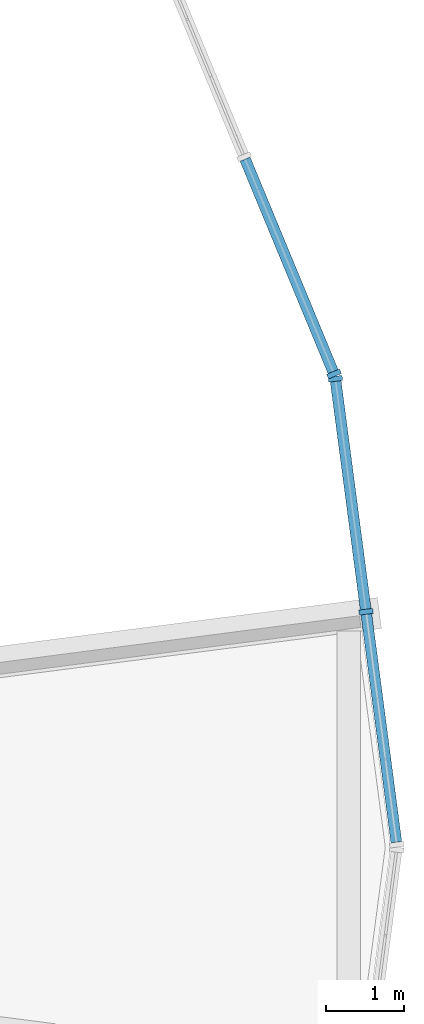
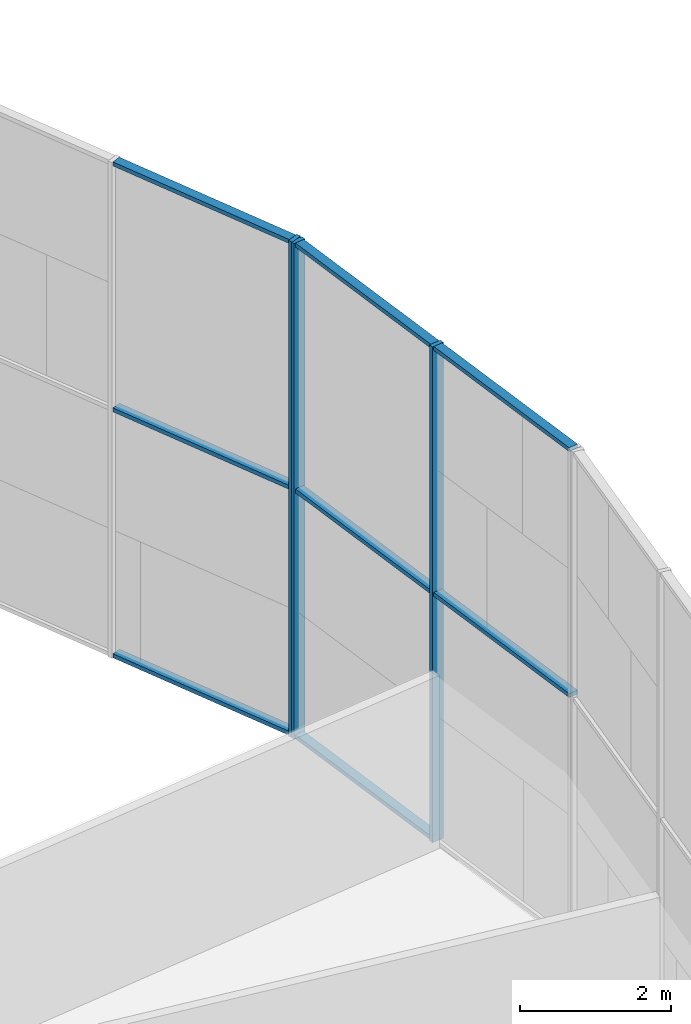
# One storey, part 5 of 18: 11 members, 2 elements without a shape of their own.
"""IFC4 building model written with IfcOpenShell, lengths in metres."""

from ifc_helpers import new_model, si_unit, direction, frame, origin, origin_2d, place, context, subcontext, project, spatial, rectangle, extrude, material, material_profile, profile_set, type_object, element, aggregate, save


model = new_model("IFC4")

# Units and contexts
model_context = context("Model", 3, precision=1e-05, world=origin(), true_north=direction((0.0, 1.0)))
body_context = subcontext(model_context, "Body", "Model", "MODEL_VIEW")
ifc_project = project(units=[si_unit("LENGTHUNIT", "METRE"), si_unit("AREAUNIT", "SQUARE_METRE"), si_unit("VOLUMEUNIT", "CUBIC_METRE"), si_unit("PLANEANGLEUNIT", "RADIAN"), si_unit("MASSUNIT", "GRAM", prefix="KILO")], contexts=[model_context])

# Site, building, storey
site_placement = place(None, origin())
site = spatial("IfcSite", under=ifc_project, at=site_placement, CompositionType="ELEMENT")
building_placement = place(site_placement, origin())
building = spatial("IfcBuilding", under=site, at=building_placement, Name="Golbaran Civic Tower", CompositionType="ELEMENT")
storey_placement = place(building_placement, frame((0.0, 0.0, 45.0)))
storey = spatial("IfcBuildingStorey", under=building, at=storey_placement, Name="L10", CompositionType="ELEMENT", Elevation=45.0)

# Curtain wall, members
ifc_material_1 = material(Name="Aluminium and glass", Category="aluminium")
curtain_wall_type = type_object("IfcCurtainWallType", Name="INNER SKIN CURTAIN WALL", PredefinedType="NOTDEFINED", material=ifc_material_1)
curtain_wall_1_placement = place(storey_placement, origin())
curtain_wall_1 = element("IfcCurtainWall", 1, at=curtain_wall_1_placement, inside=storey, type_object=curtain_wall_type, Name="Inner skin L10 facet 1 CW1", ObjectType="INNER SKIN", PredefinedType="USERDEFINED")
ifc_material_2 = material(Name="Aluminium", Category="aluminium")
ifc_material_profile_1 = material_profile(ifc_material_2, rectangle(XDim=0.179931640625, YDim=0.06494140625, at=origin_2d()), Name="INNER SKIN CURTAIN WALL MULLION")
ifc_profile_set_1 = profile_set([ifc_material_profile_1], Name="Aluminium")
member_type_1 = type_object("IfcMemberType", Name="INNER SKIN CURTAIN WALL MULLION", PredefinedType="MULLION", material=ifc_profile_set_1)
member_1_placement = place(storey_placement, frame((22.87451171875, 3.011474609375, 0.0), z_axis=(0.0, 0.0, 1.0), x_axis=(-0.991444861385, -0.130526192134, 0.0)))
member_1 = element("IfcMember", 2, at=member_1_placement, type_object=member_type_1, Name="CW1 mullion 2", PredefinedType="MULLION", context=body_context, shape_type="SweptSolid", body=[
    extrude(rectangle(XDim=0.179931640625, YDim=0.06494140625, at=origin_2d()), origin(), (0.0, 0.0, 1.0), 8.0),
])
member_2_placement = place(storey_placement, frame((22.482421875, 5.99072265625, 0.0), z_axis=(0.0, 0.0, 1.0), x_axis=(-0.991444861385, -0.130526192134, 0.0)))
member_2 = element("IfcMember", 3, at=member_2_placement, type_object=member_type_1, Name="CW1 mullion 3", PredefinedType="MULLION", context=body_context, shape_type="SweptSolid", body=[
    extrude(rectangle(XDim=0.179931640625, YDim=0.06494140625, at=origin_2d()), origin(), (0.0, 0.0, 1.0), 8.0),
])

# Curtain wall, member
curtain_wall_2_placement = place(storey_placement, origin())
curtain_wall_2 = element("IfcCurtainWall", 4, at=curtain_wall_2_placement, inside=storey, type_object=curtain_wall_type, Name="Inner skin L10 facet 2 CW1", ObjectType="INNER SKIN", PredefinedType="USERDEFINED")
member_3_placement = place(storey_placement, frame((22.465576171875, 6.052978515625, 0.0), z_axis=(0.0, 0.0, 1.0), x_axis=(-0.923879532451, -0.38268343251, 0.0)))
member_3 = element("IfcMember", 5, at=member_3_placement, type_object=member_type_1, Name="CW1 mullion 1", PredefinedType="MULLION", context=body_context, shape_type="SweptSolid", body=[
    extrude(rectangle(XDim=0.179931640625, YDim=0.06494140625, at=origin_2d()), origin(), (0.0, 0.0, 1.0), 8.0),
])

# Member
ifc_material_profile_2 = material_profile(ifc_material_2, rectangle(XDim=0.139892578125, YDim=0.06494140625, at=origin_2d()), Name="INNER SKIN CURTAIN WALL TRANSOM")
ifc_profile_set_2 = profile_set([ifc_material_profile_2], Name="Aluminium")
member_type_2 = type_object("IfcMemberType", Name="INNER SKIN CURTAIN WALL TRANSOM", PredefinedType="USERDEFINED", material=ifc_profile_set_2)
member_4_placement = place(storey_placement, frame((23.262451171875, 0.064453125, 4.0), z_axis=(-0.130542585571, 0.99144270301, 0.0), x_axis=(-0.99144270301, -0.130542585571, 0.0)))
member_4 = element("IfcMember", 6, at=member_4_placement, type_object=member_type_2, Name="CW1 transom 1.2", ObjectType="TRANSOM", PredefinedType="USERDEFINED", context=body_context, shape_type="SweptSolid", body=[
    extrude(rectangle(XDim=0.139892578125, YDim=0.06494140625, at=origin_2d()), origin(), (0.0, 0.0, 1.0), 2.93994140625),
])

member_5_placement = place(storey_placement, frame((23.262451171875, 0.064453125, 7.967529296875), z_axis=(-0.130542585571, 0.99144270301, 0.0), x_axis=(-0.99144270301, -0.130542585571, 0.0)))
member_5 = element("IfcMember", 7, at=member_5_placement, type_object=member_type_2, Name="CW1 transom 1.3", ObjectType="TRANSOM", PredefinedType="USERDEFINED", context=body_context, shape_type="SweptSolid", body=[
    extrude(rectangle(XDim=0.139892578125, YDim=0.06494140625, at=origin_2d()), origin(), (0.0, 0.0, 1.0), 2.93994140625),
])

member_6_placement = place(storey_placement, frame((22.870361328125, 3.043701171875, 0.032470703125), z_axis=(-0.130542585571, 0.99144270301, 0.0), x_axis=(-0.99144270301, -0.130542585571, 0.0)))
member_6 = element("IfcMember", 8, at=member_6_placement, type_object=member_type_2, Name="CW1 transom 2.1", ObjectType="TRANSOM", PredefinedType="USERDEFINED", context=body_context, shape_type="SweptSolid", body=[
    extrude(rectangle(XDim=0.139892578125, YDim=0.06494140625, at=origin_2d()), origin(), (0.0, 0.0, 1.0), 2.93994140625),
])

member_7_placement = place(storey_placement, frame((22.870361328125, 3.043701171875, 4.0), z_axis=(-0.130542585571, 0.99144270301, 0.0), x_axis=(-0.99144270301, -0.130542585571, 0.0)))
member_7 = element("IfcMember", 9, at=member_7_placement, type_object=member_type_2, Name="CW1 transom 2.2", ObjectType="TRANSOM", PredefinedType="USERDEFINED", context=body_context, shape_type="SweptSolid", body=[
    extrude(rectangle(XDim=0.139892578125, YDim=0.06494140625, at=origin_2d()), origin(), (0.0, 0.0, 1.0), 2.93994140625),
])

member_8_placement = place(storey_placement, frame((22.870361328125, 3.043701171875, 7.967529296875), z_axis=(-0.130542585571, 0.99144270301, 0.0), x_axis=(-0.99144270301, -0.130542585571, 0.0)))
member_8 = element("IfcMember", 10, at=member_8_placement, type_object=member_type_2, Name="CW1 transom 2.3", ObjectType="TRANSOM", PredefinedType="USERDEFINED", context=body_context, shape_type="SweptSolid", body=[
    extrude(rectangle(XDim=0.139892578125, YDim=0.06494140625, at=origin_2d()), origin(), (0.0, 0.0, 1.0), 2.93994140625),
])

aggregate(curtain_wall_1, [member_1, member_2, member_4, member_5, member_6, member_7, member_8])

member_9_placement = place(storey_placement, frame((22.453125, 6.0830078125, 0.032470703125), z_axis=(-0.382645150923, 0.923895388275, 0.0), x_axis=(-0.923895388275, -0.382645150923, 0.0)))
member_9 = element("IfcMember", 11, at=member_9_placement, type_object=member_type_2, Name="CW1 transom 1.1", ObjectType="TRANSOM", PredefinedType="USERDEFINED", context=body_context, shape_type="SweptSolid", body=[
    extrude(rectangle(XDim=0.139892578125, YDim=0.06494140625, at=origin_2d()), origin(), (0.0, 0.0, 1.0), 2.93994140625),
])

member_10_placement = place(storey_placement, frame((22.453125, 6.0830078125, 4.0), z_axis=(-0.382645150923, 0.923895388275, 0.0), x_axis=(-0.923895388275, -0.382645150923, 0.0)))
member_10 = element("IfcMember", 12, at=member_10_placement, type_object=member_type_2, Name="CW1 transom 1.2", ObjectType="TRANSOM", PredefinedType="USERDEFINED", context=body_context, shape_type="SweptSolid", body=[
    extrude(rectangle(XDim=0.139892578125, YDim=0.06494140625, at=origin_2d()), origin(), (0.0, 0.0, 1.0), 2.93994140625),
])

member_11_placement = place(storey_placement, frame((22.453125, 6.0830078125, 7.967529296875), z_axis=(-0.382645150923, 0.923895388275, 0.0), x_axis=(-0.923895388275, -0.382645150923, 0.0)))
member_11 = element("IfcMember", 13, at=member_11_placement, type_object=member_type_2, Name="CW1 transom 1.3", ObjectType="TRANSOM", PredefinedType="USERDEFINED", context=body_context, shape_type="SweptSolid", body=[
    extrude(rectangle(XDim=0.139892578125, YDim=0.06494140625, at=origin_2d()), origin(), (0.0, 0.0, 1.0), 2.93994140625),
])

aggregate(curtain_wall_2, [member_3, member_9, member_10, member_11])

save(model, "model.ifc")
